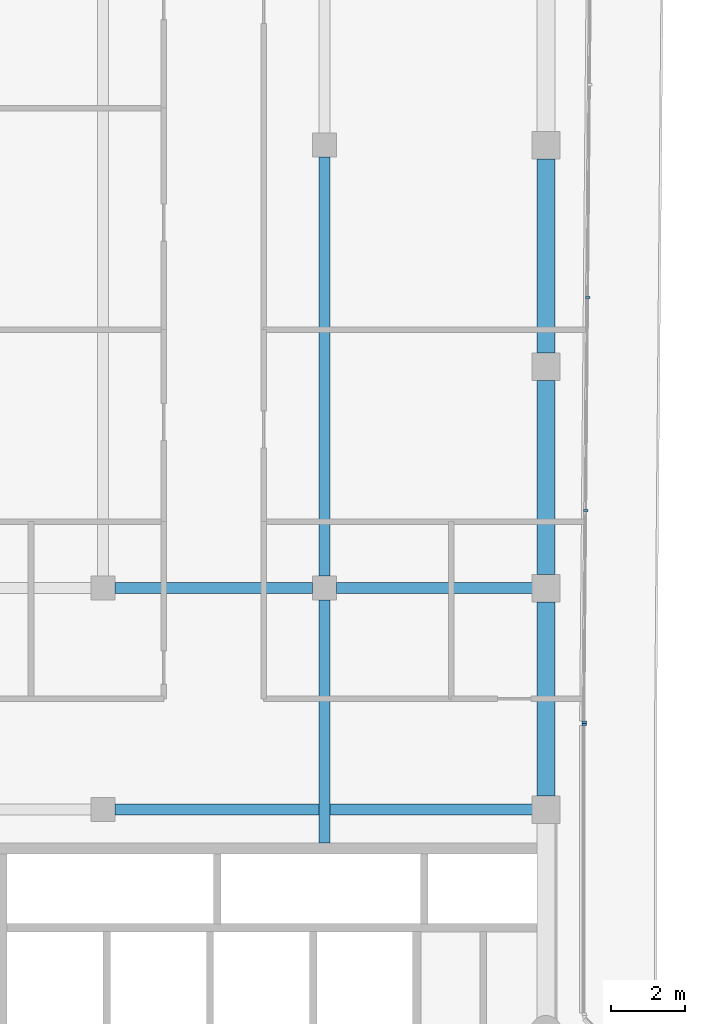
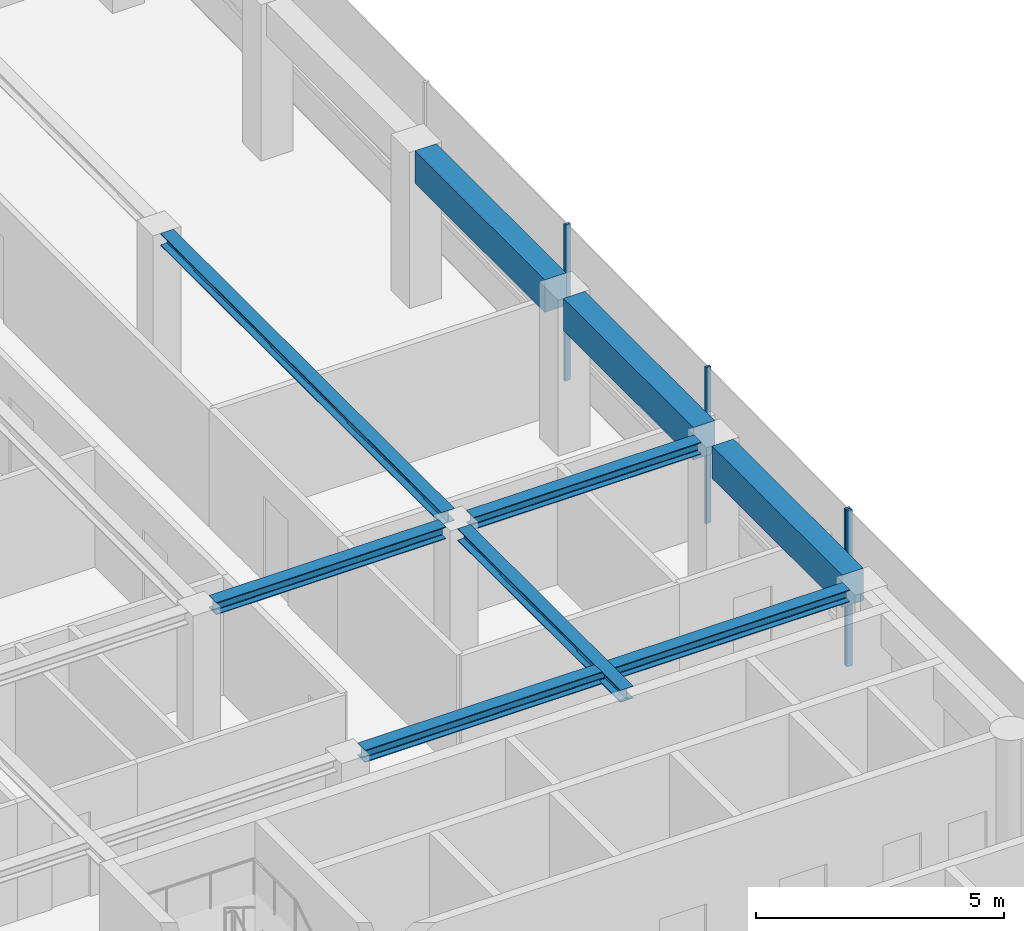
# One storey, part 7 of 18: 8 beams, 4 members, 2 elements without a shape of their own.
"""IFC4 building model written with IfcOpenShell, lengths in metres."""

import ifcopenshell
import ifcopenshell.guid

model = None  # the IFC model being written
_history = None  # IfcOwnerHistory: only IFC2X3 demands one
_inside = {}  # id of a spatial element -> (the spatial element, [elements in it])
_under = {}  # id of a project, library or spatial element -> (it, [spatial elements below it])
_declared = {}  # id of a project -> (the project, [libraries it declares])
_typed = {}  # id of a type object -> (the type object, [elements of that type])
_made_of = {}  # id of a material, layer set ... -> (it, [elements and type objects made of it])


def new_model(schema):
    """Start an empty IFC model of exactly this schema.

    Asked for "IFC4X3", IfcOpenShell would pick the latest addendum, in which some entities
    have other attributes; the version numbers below select the first issue.
    IFC2X3 requires an IfcOwnerHistory on every rooted entity: one is made here for all.
    """
    global model, _history
    if schema == "IFC4X3":
        model = ifcopenshell.file(schema_version=(4, 3, 0, 0))
    else:
        model = ifcopenshell.file(schema=schema)
    _inside.clear()
    _under.clear()
    _declared.clear()
    _typed.clear()
    _made_of.clear()
    _history = None
    if model.schema == "IFC2X3":
        org = make("IfcOrganization", Name="unknown")
        user = make(
            "IfcPersonAndOrganization",
            ThePerson=make("IfcPerson", FamilyName="unknown"),
            TheOrganization=org,
        )
        app = make(
            "IfcApplication",
            ApplicationDeveloper=org,
            Version="unknown",
            ApplicationFullName="unknown",
            ApplicationIdentifier="unknown",
        )
        _history = make(
            "IfcOwnerHistory",
            OwningUser=user,
            OwningApplication=app,
            ChangeAction="ADDED",
            CreationDate=0,
        )
    return model


def make(cls, **values):
    """One entity of the class cls with the attributes given. An attribute that is None is left unset."""
    return model.create_entity(
        cls, **{name: value for name, value in values.items() if value is not None}
    )


def rooted(cls, **values):
    """An entity with a GlobalId (a new one), such as an element, a storey or a relation."""
    return make(cls, GlobalId=ifcopenshell.guid.new(), OwnerHistory=_history, **values)


def si_unit(unit_type, name, prefix=None):
    """IfcSIUnit, for example si_unit("LENGTHUNIT", "METRE", prefix="MILLI")."""
    return make("IfcSIUnit", UnitType=unit_type, Prefix=prefix, Name=name)


def assignment(units):
    """IfcUnitAssignment: the units of a project."""
    return None if units is None else make("IfcUnitAssignment", Units=units)


def point(xyz):
    """IfcCartesianPoint."""
    return None if xyz is None else make("IfcCartesianPoint", Coordinates=xyz)


def direction(xyz):
    """IfcDirection."""
    return None if xyz is None else make("IfcDirection", DirectionRatios=xyz)


def frame(location, z_axis=None, x_axis=None):
    """IfcAxis2Placement3D, a coordinate frame: its origin and axes. An axis left out is left unset."""
    return make(
        "IfcAxis2Placement3D",
        Location=point(location),
        Axis=direction(z_axis),
        RefDirection=direction(x_axis),
    )


def frame_2d(location, x_axis=None):
    """IfcAxis2Placement2D, a coordinate frame in the plane: its origin and x axis."""
    return make(
        "IfcAxis2Placement2D", Location=point(location), RefDirection=direction(x_axis)
    )


def origin():
    """The frame at (0, 0, 0) with its axes left unset."""
    return frame((0.0, 0.0, 0.0))


def origin_2d():
    """The frame at (0, 0) in the plane with its x axis left unset."""
    return frame_2d((0.0, 0.0))


def place(relative_to, where):
    """IfcLocalPlacement: puts the frame where relative to a parent placement (None: the world)."""
    return make(
        "IfcLocalPlacement", PlacementRelTo=relative_to, RelativePlacement=where
    )


def context(
    kind, dimensions, precision=None, world=None, true_north=None, identifier=None
):
    """IfcGeometricRepresentationContext, for example the 3D "Model" context."""
    return make(
        "IfcGeometricRepresentationContext",
        ContextIdentifier=identifier,
        ContextType=kind,
        CoordinateSpaceDimension=dimensions,
        Precision=precision,
        WorldCoordinateSystem=world,
        TrueNorth=true_north,
    )


def subcontext(parent, identifier, kind, view, scale=None):
    """IfcGeometricRepresentationSubContext, for example "Body" below "Model"."""
    return make(
        "IfcGeometricRepresentationSubContext",
        ContextIdentifier=identifier,
        ContextType=kind,
        ParentContext=parent,
        TargetScale=scale,
        TargetView=view,
    )


def project(units=None, contexts=None):
    """IfcProject with its units and contexts."""
    return rooted(
        "IfcProject",
        Name="project",
        RepresentationContexts=contexts,
        UnitsInContext=assignment(units),
    )


def spatial(cls, under=None, at=None, **own):
    """A site, building, storey or space (cls), placed at a placement, below another one or the project."""
    s = rooted(cls, ObjectPlacement=at, **own)
    if under is not None:
        _under.setdefault(under.id(), (under, []))[1].append(s)
    return s


def profile(cls, at=None, kind="AREA", **sizes):
    """A parametric profile (cls). Its sizes go by their IFC names, for example OverallWidth=200.0."""
    return make(cls, ProfileType=kind, Position=at, **sizes)


def rectangle(**sizes):
    """IfcRectangleProfileDef."""
    return profile("IfcRectangleProfileDef", **sizes)


def i_section(**sizes):
    """IfcIShapeProfileDef."""
    return profile("IfcIShapeProfileDef", **sizes)


def extrude(swept, where, along, depth):
    """IfcExtrudedAreaSolid: the profile swept, set in the frame where, extruded along a direction by depth."""
    return make(
        "IfcExtrudedAreaSolid",
        SweptArea=swept,
        Position=where,
        ExtrudedDirection=direction(along),
        Depth=depth,
    )


def shape(context_of_items, identifier, shape_type, items):
    """IfcShapeRepresentation: the items that make up one representation, for example the "Body"."""
    return make(
        "IfcShapeRepresentation",
        ContextOfItems=context_of_items,
        RepresentationIdentifier=identifier,
        RepresentationType=shape_type,
        Items=items,
    )


def material(Name=None, Category=None):
    """IfcMaterial."""
    return make("IfcMaterial", Name=Name, Category=Category)


def layer(
    of_material, thickness, ventilated=None, Name=None, Category=None, Priority=None
):
    """IfcMaterialLayer: one layer of a wall or slab, of a material (None: an air gap)."""
    return make(
        "IfcMaterialLayer",
        Material=of_material,
        LayerThickness=thickness,
        IsVentilated=ventilated,
        Name=Name,
        Category=Category,
        Priority=Priority,
    )


def layer_set(layers, Name=None):
    """IfcMaterialLayerSet."""
    return make("IfcMaterialLayerSet", MaterialLayers=layers, LayerSetName=Name)


def material_profile(
    of_material, cross_section, Name=None, Category=None, Priority=None
):
    """IfcMaterialProfile: a cross section and its material."""
    return make(
        "IfcMaterialProfile",
        Name=Name,
        Material=of_material,
        Profile=cross_section,
        Priority=Priority,
        Category=Category,
    )


def profile_set(profiles, Name=None, composite=None):
    """IfcMaterialProfileSet."""
    return make(
        "IfcMaterialProfileSet",
        Name=Name,
        MaterialProfiles=profiles,
        CompositeProfile=composite,
    )


def made_of(thing, what):
    """Note that an element or type object is made of a material, layer set ...; save() writes the relation."""
    if what is not None:
        _made_of.setdefault(what.id(), (what, []))[1].append(thing)
    return thing


def type_object(cls, material=None, **own):
    """A type object (cls), such as IfcWallType, which elements share."""
    return made_of(rooted(cls, **own), material)


def element(
    cls,
    number,
    at=None,
    inside=None,
    cuts=None,
    type_object=None,
    material=None,
    context=None,
    identifier="Body",
    shape_type=None,
    held_by="IfcProductDefinitionShape",
    body=None,
    shapes=None,
    **own,
):
    """One element of the class cls, such as IfcWall. Its Tag is "e" and its number.

    at: its placement. inside: the storey or other place that contains it. cuts: it is an
    opening in that element (IfcRelVoidsElement). A single representation is given by context,
    identifier, shape_type and body (its items); several are given by shapes. held_by: the class
    of the entity that holds the representations. save() writes the other relations.
    """
    e = rooted(cls, Tag="e%d" % number, ObjectPlacement=at, **own)
    if body is not None:
        shapes = [shape(context, identifier, shape_type, body)]
    if shapes is not None:
        e.Representation = make(held_by, Representations=shapes)
    if inside is not None:
        _inside.setdefault(inside.id(), (inside, []))[1].append(e)
    if cuts is not None:
        rooted(
            "IfcRelVoidsElement", RelatingBuildingElement=cuts, RelatedOpeningElement=e
        )
    if type_object is not None:
        _typed.setdefault(type_object.id(), (type_object, []))[1].append(e)
    return made_of(e, material)


def aggregate(whole, parts):
    """IfcRelAggregates: a whole, such as a stair, and the parts it consists of."""
    return rooted("IfcRelAggregates", RelatingObject=whole, RelatedObjects=parts)


def save(model, path):
    """Write the relations noted so far, then the file.

    IfcRelAggregates (storeys below a building ...), IfcRelContainedInSpatialStructure (elements
    in a storey), IfcRelDefinesByType, IfcRelAssociatesMaterial and IfcRelDeclares: one each for
    every whole, place, type object, material and project.
    """
    for whole, parts in _under.values():
        aggregate(whole, parts)
    for where, things in _inside.values():
        rooted(
            "IfcRelContainedInSpatialStructure",
            RelatedElements=things,
            RelatingStructure=where,
        )
    for kind, things in _typed.values():
        rooted("IfcRelDefinesByType", RelatedObjects=things, RelatingType=kind)
    for what, things in _made_of.values():
        rooted("IfcRelAssociatesMaterial", RelatedObjects=things, RelatingMaterial=what)
    for by, libraries in _declared.values():
        rooted("IfcRelDeclares", RelatingContext=by, RelatedDefinitions=libraries)
    model.write(path)


model = new_model("IFC4")

# Units and contexts
model_context = context("Model", 3, precision=1e-05, world=origin(), true_north=direction((0.0, 1.0)))
body_context = subcontext(model_context, "Body", "Model", "MODEL_VIEW")
ifc_project = project(units=[si_unit("LENGTHUNIT", "METRE"), si_unit("AREAUNIT", "SQUARE_METRE"), si_unit("VOLUMEUNIT", "CUBIC_METRE"), si_unit("PLANEANGLEUNIT", "RADIAN"), si_unit("MASSUNIT", "GRAM", prefix="KILO")], contexts=[model_context])

# Site, building, storey
site_placement = place(None, origin())
site = spatial("IfcSite", under=ifc_project, at=site_placement, CompositionType="ELEMENT")
building_placement = place(site_placement, origin())
building = spatial("IfcBuilding", under=site, at=building_placement, Name="Welwitschia Terrace Campus", CompositionType="ELEMENT")
storey_placement = place(building_placement, frame((0.0, 0.0, 285.199951171875)))
storey = spatial("IfcBuildingStorey", under=building, at=storey_placement, Name="L63", CompositionType="ELEMENT", Elevation=285.199951171875)

# Beams
ifc_material_1 = material(Name="Steel S355", Category="steel")
ifc_material_profile_1 = material_profile(ifc_material_1, i_section(OverallWidth=0.300048828125, OverallDepth=0.300048828125, WebThickness=0.010986328125, FlangeThickness=0.01904296875, FilletRadius=0.027099609375, at=origin_2d()))
ifc_profile_set_1 = profile_set([ifc_material_profile_1], Name="Steel S355")
beam_type_1 = type_object("IfcBeamType", Name="Interior girder HE 300 B", PredefinedType="BEAM", material=ifc_profile_set_1)
beam_1_placement = place(storey_placement, frame((12.325439453125, 26.0, 3.699951171875), z_axis=(1.0, 0.0, 0.0), x_axis=(0.0, 1.0, 0.0)))
element("IfcBeam", 1, at=beam_1_placement, inside=storey, type_object=beam_type_1, Name="Girder GB6", PredefinedType="BEAM", context=body_context, shape_type="SweptSolid", body=[
    extrude(i_section(OverallWidth=0.300048828125, OverallDepth=0.300048828125, WebThickness=0.010986328125, FlangeThickness=0.01904296875, FilletRadius=0.027099609375, at=origin_2d()), origin(), (0.0, 0.0, 1.0), 11.30908203125),
])
beam_2_placement = place(storey_placement, frame((12.325439453125, 32.0, 3.699951171875), z_axis=(1.0, 0.0, 0.0), x_axis=(0.0, 1.0, 0.0)))
element("IfcBeam", 2, at=beam_2_placement, inside=storey, type_object=beam_type_1, Name="Girder GB6", PredefinedType="BEAM", context=body_context, shape_type="SweptSolid", body=[
    extrude(i_section(OverallWidth=0.300048828125, OverallDepth=0.300048828125, WebThickness=0.010986328125, FlangeThickness=0.01904296875, FilletRadius=0.027099609375, at=origin_2d()), origin(), (0.0, 0.0, 1.0), 5.34912109375),
])
beam_3_placement = place(storey_placement, frame((18.325439453125, 32.0, 3.699951171875), z_axis=(1.0, 0.0, 0.0), x_axis=(0.0, 1.0, 0.0)))
element("IfcBeam", 3, at=beam_3_placement, inside=storey, type_object=beam_type_1, Name="Girder GB6", PredefinedType="BEAM", context=body_context, shape_type="SweptSolid", body=[
    extrude(i_section(OverallWidth=0.300048828125, OverallDepth=0.300048828125, WebThickness=0.010986328125, FlangeThickness=0.01904296875, FilletRadius=0.027099609375, at=origin_2d()), origin(), (0.0, 0.0, 1.0), 5.30908203125),
])
beam_4_placement = place(storey_placement, frame((18.0, 25.10107421875, 3.699951171875), z_axis=(0.0, 1.0, 0.0), x_axis=(-1.0, 0.0, 0.0)))
element("IfcBeam", 4, at=beam_4_placement, inside=storey, type_object=beam_type_1, Name="Girder GB6", PredefinedType="BEAM", context=body_context, shape_type="SweptSolid", body=[
    extrude(i_section(OverallWidth=0.300048828125, OverallDepth=0.300048828125, WebThickness=0.010986328125, FlangeThickness=0.01904296875, FilletRadius=0.027099609375, at=origin_2d()), origin(), (0.0, 0.0, 1.0), 6.573486328125),
])
beam_5_placement = place(storey_placement, frame((18.0, 32.325439453125, 3.699951171875), z_axis=(0.0, 1.0, 0.0), x_axis=(-1.0, 0.0, 0.0)))
element("IfcBeam", 5, at=beam_5_placement, inside=storey, type_object=beam_type_1, Name="Girder GB6", PredefinedType="BEAM", context=body_context, shape_type="SweptSolid", body=[
    extrude(i_section(OverallWidth=0.300048828125, OverallDepth=0.300048828125, WebThickness=0.010986328125, FlangeThickness=0.01904296875, FilletRadius=0.027099609375, at=origin_2d()), origin(), (0.0, 0.0, 1.0), 11.34912109375),
])

# Curtain wall, member
ifc_material_2 = material(Name="Bronze anodised aluminium", Category="aluminium")
ifc_layer = layer(ifc_material_2, 0.1201171875)
ifc_layer_set = layer_set([ifc_layer], Name="Bronze anodised aluminium")
curtain_wall_type = type_object("IfcCurtainWallType", Name="Curtain wall CW2 tower 6000", PredefinedType="NOTDEFINED", material=ifc_layer_set)
curtain_wall_1_placement = place(storey_placement, origin())
curtain_wall_1 = element("IfcCurtainWall", 6, at=curtain_wall_1_placement, inside=storey, type_object=curtain_wall_type, Name="CW L63.9.0", PredefinedType="NOTDEFINED")
ifc_material_3 = material(Name="Bronze anodised aluminium", Category="aluminium")
ifc_material_profile_2 = material_profile(ifc_material_3, rectangle(XDim=0.1201171875, YDim=0.06005859375, at=origin_2d()))
ifc_profile_set_2 = profile_set([ifc_material_profile_2], Name="Bronze anodised aluminium")
member_type = type_object("IfcMemberType", Name="Mullion 60x120", PredefinedType="MULLION", material=ifc_profile_set_2)
member_1_placement = place(storey_placement, frame((25.030029296875, 28.309814453125, 0.0), z_axis=(0.0, 0.0, 1.0), x_axis=(-1.0, 0.0, 0.0)))
member_1 = element("IfcMember", 7, at=member_1_placement, type_object=member_type, Name="Mullion L63.9.0.1", PredefinedType="MULLION", context=body_context, shape_type="SweptSolid", body=[
    extrude(rectangle(XDim=0.1201171875, YDim=0.06005859375, at=origin_2d()), origin(), (0.0, 0.0, 1.0), 3.85009765625),
])
aggregate(curtain_wall_1, [member_1])

# Curtain wall, members
curtain_wall_2_placement = place(storey_placement, origin())
curtain_wall_2 = element("IfcCurtainWall", 8, at=curtain_wall_2_placement, inside=storey, type_object=curtain_wall_type, Name="CW L63.10.0", PredefinedType="NOTDEFINED")
member_2_placement = place(storey_placement, frame((25.0302734375, 28.369873046875, 0.0), z_axis=(0.0, 0.0, 1.0), x_axis=(-0.999961923064, 0.008726535498, 0.0)))
member_2 = element("IfcMember", 9, at=member_2_placement, type_object=member_type, Name="Mullion L63.10.0.0", PredefinedType="MULLION", context=body_context, shape_type="SweptSolid", body=[
    extrude(rectangle(XDim=0.1201171875, YDim=0.06005859375, at=origin_2d()), origin(), (0.0, 0.0, 1.0), 3.85009765625),
])
member_3_placement = place(storey_placement, frame((25.080322265625, 34.105224609375, 0.0), z_axis=(0.0, 0.0, 1.0), x_axis=(-0.999961923064, 0.008726535498, 0.0)))
member_3 = element("IfcMember", 10, at=member_3_placement, type_object=member_type, Name="Mullion L63.10.0.1", PredefinedType="MULLION", context=body_context, shape_type="SweptSolid", body=[
    extrude(rectangle(XDim=0.1201171875, YDim=0.06005859375, at=origin_2d()), origin(), (0.0, 0.0, 1.0), 3.85009765625),
])
member_4_placement = place(storey_placement, frame((25.130615234375, 39.87060546875, 0.0), z_axis=(0.0, 0.0, 1.0), x_axis=(-0.999961923064, 0.008726535498, 0.0)))
member_4 = element("IfcMember", 11, at=member_4_placement, type_object=member_type, Name="Mullion L63.10.0.2", PredefinedType="MULLION", context=body_context, shape_type="SweptSolid", body=[
    extrude(rectangle(XDim=0.1201171875, YDim=0.06005859375, at=origin_2d()), origin(), (0.0, 0.0, 1.0), 3.85009765625),
])
aggregate(curtain_wall_2, [member_2, member_3, member_4])

# Beams
ifc_material_4 = material(Name="Concrete C50/60", Category="concrete")
ifc_material_profile_3 = material_profile(ifc_material_4, rectangle(XDim=0.5, YDim=0.800048828125, at=origin_2d()))
ifc_profile_set_3 = profile_set([ifc_material_profile_3], Name="Concrete C50/60")
beam_type_2 = type_object("IfcBeamType", Name="Ring spandrel 500x800", PredefinedType="SPANDREL", material=ifc_profile_set_3)
for number, where, z_axis, x_axis, name in (
    (12, (24.0, 26.37548828125, 3.449951171875), (0.0, 1.0, 0.0), (-1.0, 0.0, 0.0), "Spandrel SP4"),
    (13, (24.0, 32.37548828125, 3.449951171875), (0.0, 1.0, 0.0), (-1.0, 0.0, 0.0), "Spandrel SP4"),
    (14, (24.0, 38.37548828125, 3.449951171875), (0.0, 1.0, 0.0), (-1.0, 0.0, 0.0), "Spandrel SP4"),
):
    element("IfcBeam", number, at=place(storey_placement, frame(where, z_axis=z_axis, x_axis=x_axis)), inside=storey, type_object=beam_type_2, Name=name, PredefinedType="SPANDREL", context=body_context, shape_type="SweptSolid", body=[
        extrude(rectangle(XDim=0.5, YDim=0.800048828125, at=origin_2d()), origin(), (0.0, 0.0, 1.0), 5.2490234375),
    ])

save(model, "model.ifc")
